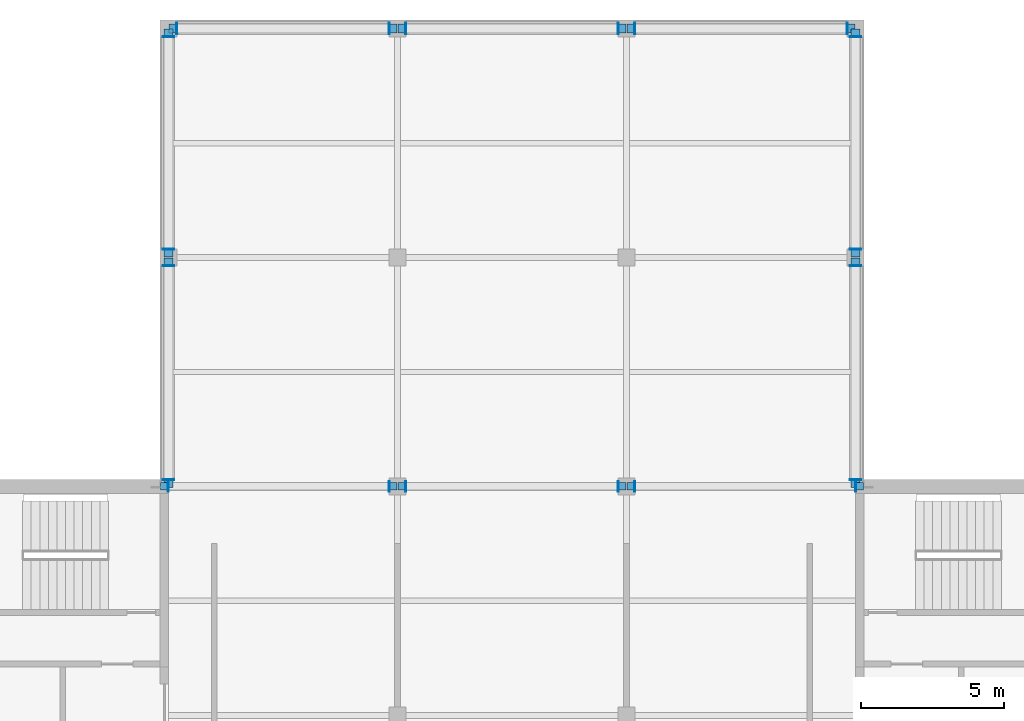
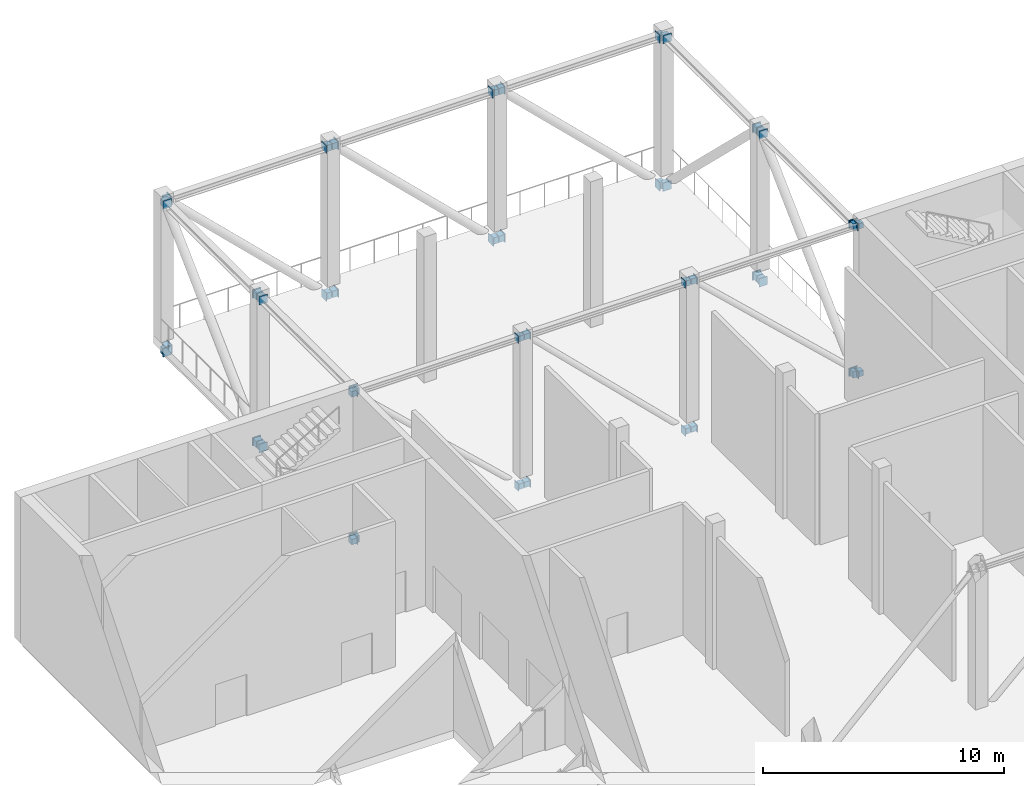
# One storey, part 7 of 9: 80 discrete accessories.
"""IFC4 building model written with IfcOpenShell, lengths in metres."""

from ifc_helpers import new_model, si_unit, direction, frame, origin, origin_2d, place, context, subcontext, project, spatial, rectangle, extrude, material, layer, layer_set, type_object, element, save


model = new_model("IFC4")

# Units and contexts
model_context = context("Model", 3, precision=1e-05, world=origin(), true_north=direction((0.0, 1.0)))
body_context = subcontext(model_context, "Body", "Model", "MODEL_VIEW")
ifc_project = project(units=[si_unit("LENGTHUNIT", "METRE"), si_unit("AREAUNIT", "SQUARE_METRE"), si_unit("VOLUMEUNIT", "CUBIC_METRE"), si_unit("PLANEANGLEUNIT", "RADIAN"), si_unit("MASSUNIT", "GRAM", prefix="KILO")], contexts=[model_context])

# Site, building, storey
site_placement = place(None, origin())
site = spatial("IfcSite", under=ifc_project, at=site_placement, CompositionType="ELEMENT")
building_placement = place(site_placement, origin())
building = spatial("IfcBuilding", under=site, at=building_placement, Name="Crosswind Convention Tower", CompositionType="ELEMENT")
storey_placement = place(building_placement, frame((0.0, 0.0, 303.89990234375)))
storey = spatial("IfcBuildingStorey", under=building, at=storey_placement, Name="L66", CompositionType="ELEMENT", Elevation=303.89990234375)

# Discrete accessories
ifc_material = material(Name="Steel S355", Category="steel")
ifc_layer_1 = layer(ifc_material, 0.030029296875)
ifc_layer_set_1 = layer_set([ifc_layer_1], Name="Steel S355")
discrete_accessory_type_1 = type_object("IfcDiscreteAccessoryType", Name="Cast-in plate 361 x 376 x 30", PredefinedType="ANCHORPLATE", material=ifc_layer_set_1)
for number, where, z_axis, x_axis, name in (
    (1, (112.985107421875, 112.0, -0.726318359375), (0.0, 0.0, 1.0), (1.0, 0.0, 0.0), "EP4 L66 cast-in plate"),
    (2, (120.715087890625, 112.0, -0.726318359375), (0.0, 0.0, 1.0), (1.0, 0.0, 0.0), "EP4 L66 cast-in plate"),
    (3, (112.985107421875, 112.0, 6.773681640625), (0.0, 0.0, 1.0), (1.0, 0.0, 0.0), "EP4 L66 cast-in plate"),
    (4, (120.715087890625, 112.0, 6.773681640625), (0.0, 0.0, 1.0), (1.0, 0.0, 0.0), "EP4 L66 cast-in plate"),
    (5, (121.284912109375, 112.0, -0.726318359375), (0.0, 0.0, 1.0), (1.0, 0.0, 0.0), "EP4 L66 cast-in plate"),
    (6, (128.715087890625, 112.0, -0.726318359375), (0.0, 0.0, 1.0), (1.0, 0.0, 0.0), "EP4 L66 cast-in plate"),
    (7, (121.284912109375, 112.0, 6.773681640625), (0.0, 0.0, 1.0), (1.0, 0.0, 0.0), "EP4 L66 cast-in plate"),
    (8, (128.715087890625, 112.0, 6.773681640625), (0.0, 0.0, 1.0), (1.0, 0.0, 0.0), "EP4 L66 cast-in plate"),
    (9, (129.284912109375, 112.0, -0.726318359375), (0.0, 0.0, 1.0), (1.0, 0.0, 0.0), "EP4 L66 cast-in plate"),
    (10, (137.014892578125, 112.0, -0.726318359375), (0.0, 0.0, 1.0), (1.0, 0.0, 0.0), "EP4 L66 cast-in plate"),
    (11, (129.284912109375, 112.0, 6.773681640625), (0.0, 0.0, 1.0), (1.0, 0.0, 0.0), "EP4 L66 cast-in plate"),
    (12, (137.014892578125, 112.0, 6.773681640625), (0.0, 0.0, 1.0), (1.0, 0.0, 0.0), "EP4 L66 cast-in plate"),
):
    element("IfcDiscreteAccessory", number, at=place(storey_placement, frame(where, z_axis=z_axis, x_axis=x_axis)), inside=storey, type_object=discrete_accessory_type_1, Name=name, PredefinedType="ANCHORPLATE", context=body_context, shape_type="SweptSolid", body=[
        extrude(rectangle(XDim=0.030029296875, YDim=0.361083984375, at=origin_2d()), origin(), (0.0, 0.0, 1.0), 0.37646484375),
    ])
ifc_layer_2 = layer(ifc_material, 0.030029296875)
ifc_layer_set_2 = layer_set([ifc_layer_2], Name="Steel S355")
discrete_accessory_type_2 = type_object("IfcDiscreteAccessoryType", Name="Cast-in plate 411 x 427 x 30", PredefinedType="ANCHORPLATE", material=ifc_layer_set_2)
for number, where, z_axis, x_axis, name in (
    (13, (113.0, 112.235107421875, -0.777099609375), (0.0, 0.0, 1.0), (1.0, 0.0, 0.0), "EP3 L66 cast-in plate"),
    (14, (113.0, 119.715087890625, -0.777099609375), (0.0, 0.0, 1.0), (1.0, 0.0, 0.0), "EP3 L66 cast-in plate"),
    (15, (113.0, 112.235107421875, 6.722900390625), (0.0, 0.0, 1.0), (1.0, 0.0, 0.0), "EP3 L66 cast-in plate"),
    (16, (113.0, 119.715087890625, 6.722900390625), (0.0, 0.0, 1.0), (1.0, 0.0, 0.0), "EP3 L66 cast-in plate"),
    (17, (113.0, 120.284912109375, -0.777099609375), (0.0, 0.0, 1.0), (1.0, 0.0, 0.0), "EP3 L66 cast-in plate"),
    (18, (113.0, 127.715087890625, -0.777099609375), (0.0, 0.0, 1.0), (1.0, 0.0, 0.0), "EP3 L66 cast-in plate"),
    (19, (113.0, 120.284912109375, 6.722900390625), (0.0, 0.0, 1.0), (1.0, 0.0, 0.0), "EP3 L66 cast-in plate"),
    (20, (113.0, 127.715087890625, 6.722900390625), (0.0, 0.0, 1.0), (1.0, 0.0, 0.0), "EP3 L66 cast-in plate"),
):
    element("IfcDiscreteAccessory", number, at=place(storey_placement, frame(where, z_axis=z_axis, x_axis=x_axis)), inside=storey, type_object=discrete_accessory_type_2, Name=name, PredefinedType="ANCHORPLATE", context=body_context, shape_type="SweptSolid", body=[
        extrude(rectangle(XDim=0.41064453125, YDim=0.030029296875, at=origin_2d()), origin(), (0.0, 0.0, 1.0), 0.42724609375),
    ])
for number, where, z_axis, x_axis, name in (
    (21, (113.284912109375, 128.0, -0.777099609375), (0.0, 0.0, 1.0), (1.0, 0.0, 0.0), "EP3 L66 cast-in plate"),
    (22, (120.715087890625, 128.0, -0.777099609375), (0.0, 0.0, 1.0), (1.0, 0.0, 0.0), "EP3 L66 cast-in plate"),
    (23, (113.284912109375, 128.0, 6.722900390625), (0.0, 0.0, 1.0), (1.0, 0.0, 0.0), "EP3 L66 cast-in plate"),
    (24, (120.715087890625, 128.0, 6.722900390625), (0.0, 0.0, 1.0), (1.0, 0.0, 0.0), "EP3 L66 cast-in plate"),
    (25, (121.284912109375, 128.0, -0.777099609375), (0.0, 0.0, 1.0), (1.0, 0.0, 0.0), "EP3 L66 cast-in plate"),
    (26, (128.715087890625, 128.0, -0.777099609375), (0.0, 0.0, 1.0), (1.0, 0.0, 0.0), "EP3 L66 cast-in plate"),
    (27, (121.284912109375, 128.0, 6.722900390625), (0.0, 0.0, 1.0), (1.0, 0.0, 0.0), "EP3 L66 cast-in plate"),
    (28, (128.715087890625, 128.0, 6.722900390625), (0.0, 0.0, 1.0), (1.0, 0.0, 0.0), "EP3 L66 cast-in plate"),
    (29, (129.284912109375, 128.0, -0.777099609375), (0.0, 0.0, 1.0), (1.0, 0.0, 0.0), "EP3 L66 cast-in plate"),
    (30, (136.715087890625, 128.0, -0.777099609375), (0.0, 0.0, 1.0), (1.0, 0.0, 0.0), "EP3 L66 cast-in plate"),
    (31, (129.284912109375, 128.0, 6.722900390625), (0.0, 0.0, 1.0), (1.0, 0.0, 0.0), "EP3 L66 cast-in plate"),
    (32, (136.715087890625, 128.0, 6.722900390625), (0.0, 0.0, 1.0), (1.0, 0.0, 0.0), "EP3 L66 cast-in plate"),
):
    element("IfcDiscreteAccessory", number, at=place(storey_placement, frame(where, z_axis=z_axis, x_axis=x_axis)), inside=storey, type_object=discrete_accessory_type_2, Name=name, PredefinedType="ANCHORPLATE", context=body_context, shape_type="SweptSolid", body=[
        extrude(rectangle(XDim=0.030029296875, YDim=0.41064453125, at=origin_2d()), origin(), (0.0, 0.0, 1.0), 0.42724609375),
    ])
for number, where, z_axis, x_axis, name in (
    (33, (137.0, 112.235107421875, -0.777099609375), (0.0, 0.0, 1.0), (1.0, 0.0, 0.0), "EP3 L66 cast-in plate"),
    (34, (137.0, 119.715087890625, -0.777099609375), (0.0, 0.0, 1.0), (1.0, 0.0, 0.0), "EP3 L66 cast-in plate"),
    (35, (137.0, 112.235107421875, 6.722900390625), (0.0, 0.0, 1.0), (1.0, 0.0, 0.0), "EP3 L66 cast-in plate"),
    (36, (137.0, 119.715087890625, 6.722900390625), (0.0, 0.0, 1.0), (1.0, 0.0, 0.0), "EP3 L66 cast-in plate"),
    (37, (137.0, 120.284912109375, -0.777099609375), (0.0, 0.0, 1.0), (1.0, 0.0, 0.0), "EP3 L66 cast-in plate"),
    (38, (137.0, 127.715087890625, -0.777099609375), (0.0, 0.0, 1.0), (1.0, 0.0, 0.0), "EP3 L66 cast-in plate"),
    (39, (137.0, 120.284912109375, 6.722900390625), (0.0, 0.0, 1.0), (1.0, 0.0, 0.0), "EP3 L66 cast-in plate"),
    (40, (137.0, 127.715087890625, 6.722900390625), (0.0, 0.0, 1.0), (1.0, 0.0, 0.0), "EP3 L66 cast-in plate"),
):
    element("IfcDiscreteAccessory", number, at=place(storey_placement, frame(where, z_axis=z_axis, x_axis=x_axis)), inside=storey, type_object=discrete_accessory_type_2, Name=name, PredefinedType="ANCHORPLATE", context=body_context, shape_type="SweptSolid", body=[
        extrude(rectangle(XDim=0.41064453125, YDim=0.030029296875, at=origin_2d()), origin(), (0.0, 0.0, 1.0), 0.42724609375),
    ])
discrete_accessory_type_3 = type_object("IfcDiscreteAccessoryType", Name="Headed stud group 261 x 276 x 250", PredefinedType="USERDEFINED", material=ifc_material)
for number, where, z_axis, x_axis, name in (
    (41, (112.844970703125, 112.0, -0.67626953125), (0.0, 0.0, 1.0), (1.0, 0.0, 0.0), "AB4 L66 headed stud group"),
    (42, (120.85498046875, 112.0, -0.67626953125), (0.0, 0.0, 1.0), (1.0, 0.0, 0.0), "AB4 L66 headed stud group"),
    (43, (112.844970703125, 112.0, 6.82373046875), (0.0, 0.0, 1.0), (1.0, 0.0, 0.0), "AB4 L66 headed stud group"),
    (44, (120.85498046875, 112.0, 6.82373046875), (0.0, 0.0, 1.0), (1.0, 0.0, 0.0), "AB4 L66 headed stud group"),
    (45, (121.14501953125, 112.0, -0.67626953125), (0.0, 0.0, 1.0), (1.0, 0.0, 0.0), "AB4 L66 headed stud group"),
    (46, (128.85498046875, 112.0, -0.67626953125), (0.0, 0.0, 1.0), (1.0, 0.0, 0.0), "AB4 L66 headed stud group"),
    (47, (121.14501953125, 112.0, 6.82373046875), (0.0, 0.0, 1.0), (1.0, 0.0, 0.0), "AB4 L66 headed stud group"),
    (48, (128.85498046875, 112.0, 6.82373046875), (0.0, 0.0, 1.0), (1.0, 0.0, 0.0), "AB4 L66 headed stud group"),
    (49, (129.14501953125, 112.0, -0.67626953125), (0.0, 0.0, 1.0), (1.0, 0.0, 0.0), "AB4 L66 headed stud group"),
    (50, (137.155029296875, 112.0, -0.67626953125), (0.0, 0.0, 1.0), (1.0, 0.0, 0.0), "AB4 L66 headed stud group"),
    (51, (129.14501953125, 112.0, 6.82373046875), (0.0, 0.0, 1.0), (1.0, 0.0, 0.0), "AB4 L66 headed stud group"),
    (52, (137.155029296875, 112.0, 6.82373046875), (0.0, 0.0, 1.0), (1.0, 0.0, 0.0), "AB4 L66 headed stud group"),
):
    element("IfcDiscreteAccessory", number, at=place(storey_placement, frame(where, z_axis=z_axis, x_axis=x_axis)), inside=storey, type_object=discrete_accessory_type_3, Name=name, ObjectType="HEADED STUD GROUP", PredefinedType="USERDEFINED", context=body_context, shape_type="SweptSolid", body=[
        extrude(rectangle(XDim=0.25, YDim=0.260986328125, at=origin_2d()), origin(), (0.0, 0.0, 1.0), 0.2763671875),
    ])
discrete_accessory_type_4 = type_object("IfcDiscreteAccessoryType", Name="Headed stud group 311 x 327 x 250", PredefinedType="USERDEFINED", material=ifc_material)
for number, where, z_axis, x_axis, name in (
    (53, (113.0, 112.094970703125, -0.72705078125), (0.0, 0.0, 1.0), (1.0, 0.0, 0.0), "AB3 L66 headed stud group"),
    (54, (113.0, 119.85498046875, -0.72705078125), (0.0, 0.0, 1.0), (1.0, 0.0, 0.0), "AB3 L66 headed stud group"),
    (55, (113.0, 112.094970703125, 6.77294921875), (0.0, 0.0, 1.0), (1.0, 0.0, 0.0), "AB3 L66 headed stud group"),
    (56, (113.0, 119.85498046875, 6.77294921875), (0.0, 0.0, 1.0), (1.0, 0.0, 0.0), "AB3 L66 headed stud group"),
    (57, (113.0, 120.14501953125, -0.72705078125), (0.0, 0.0, 1.0), (1.0, 0.0, 0.0), "AB3 L66 headed stud group"),
    (58, (113.0, 127.85498046875, -0.72705078125), (0.0, 0.0, 1.0), (1.0, 0.0, 0.0), "AB3 L66 headed stud group"),
    (59, (113.0, 120.14501953125, 6.77294921875), (0.0, 0.0, 1.0), (1.0, 0.0, 0.0), "AB3 L66 headed stud group"),
    (60, (113.0, 127.85498046875, 6.77294921875), (0.0, 0.0, 1.0), (1.0, 0.0, 0.0), "AB3 L66 headed stud group"),
):
    element("IfcDiscreteAccessory", number, at=place(storey_placement, frame(where, z_axis=z_axis, x_axis=x_axis)), inside=storey, type_object=discrete_accessory_type_4, Name=name, ObjectType="HEADED STUD GROUP", PredefinedType="USERDEFINED", context=body_context, shape_type="SweptSolid", body=[
        extrude(rectangle(XDim=0.310546875, YDim=0.25, at=origin_2d()), origin(), (0.0, 0.0, 1.0), 0.3271484375),
    ])
for number, where, z_axis, x_axis, name in (
    (61, (113.14501953125, 128.0, -0.72705078125), (0.0, 0.0, 1.0), (1.0, 0.0, 0.0), "AB3 L66 headed stud group"),
    (62, (120.85498046875, 128.0, -0.72705078125), (0.0, 0.0, 1.0), (1.0, 0.0, 0.0), "AB3 L66 headed stud group"),
    (63, (113.14501953125, 128.0, 6.77294921875), (0.0, 0.0, 1.0), (1.0, 0.0, 0.0), "AB3 L66 headed stud group"),
    (64, (120.85498046875, 128.0, 6.77294921875), (0.0, 0.0, 1.0), (1.0, 0.0, 0.0), "AB3 L66 headed stud group"),
    (65, (121.14501953125, 128.0, -0.72705078125), (0.0, 0.0, 1.0), (1.0, 0.0, 0.0), "AB3 L66 headed stud group"),
    (66, (128.85498046875, 128.0, -0.72705078125), (0.0, 0.0, 1.0), (1.0, 0.0, 0.0), "AB3 L66 headed stud group"),
    (67, (121.14501953125, 128.0, 6.77294921875), (0.0, 0.0, 1.0), (1.0, 0.0, 0.0), "AB3 L66 headed stud group"),
    (68, (128.85498046875, 128.0, 6.77294921875), (0.0, 0.0, 1.0), (1.0, 0.0, 0.0), "AB3 L66 headed stud group"),
    (69, (129.14501953125, 128.0, -0.72705078125), (0.0, 0.0, 1.0), (1.0, 0.0, 0.0), "AB3 L66 headed stud group"),
    (70, (136.85498046875, 128.0, -0.72705078125), (0.0, 0.0, 1.0), (1.0, 0.0, 0.0), "AB3 L66 headed stud group"),
    (71, (129.14501953125, 128.0, 6.77294921875), (0.0, 0.0, 1.0), (1.0, 0.0, 0.0), "AB3 L66 headed stud group"),
    (72, (136.85498046875, 128.0, 6.77294921875), (0.0, 0.0, 1.0), (1.0, 0.0, 0.0), "AB3 L66 headed stud group"),
):
    element("IfcDiscreteAccessory", number, at=place(storey_placement, frame(where, z_axis=z_axis, x_axis=x_axis)), inside=storey, type_object=discrete_accessory_type_4, Name=name, ObjectType="HEADED STUD GROUP", PredefinedType="USERDEFINED", context=body_context, shape_type="SweptSolid", body=[
        extrude(rectangle(XDim=0.25, YDim=0.310546875, at=origin_2d()), origin(), (0.0, 0.0, 1.0), 0.3271484375),
    ])
for number, where, z_axis, x_axis, name in (
    (73, (137.0, 112.094970703125, -0.72705078125), (0.0, 0.0, 1.0), (1.0, 0.0, 0.0), "AB3 L66 headed stud group"),
    (74, (137.0, 119.85498046875, -0.72705078125), (0.0, 0.0, 1.0), (1.0, 0.0, 0.0), "AB3 L66 headed stud group"),
    (75, (137.0, 112.094970703125, 6.77294921875), (0.0, 0.0, 1.0), (1.0, 0.0, 0.0), "AB3 L66 headed stud group"),
    (76, (137.0, 119.85498046875, 6.77294921875), (0.0, 0.0, 1.0), (1.0, 0.0, 0.0), "AB3 L66 headed stud group"),
    (77, (137.0, 120.14501953125, -0.72705078125), (0.0, 0.0, 1.0), (1.0, 0.0, 0.0), "AB3 L66 headed stud group"),
    (78, (137.0, 127.85498046875, -0.72705078125), (0.0, 0.0, 1.0), (1.0, 0.0, 0.0), "AB3 L66 headed stud group"),
    (79, (137.0, 120.14501953125, 6.77294921875), (0.0, 0.0, 1.0), (1.0, 0.0, 0.0), "AB3 L66 headed stud group"),
    (80, (137.0, 127.85498046875, 6.77294921875), (0.0, 0.0, 1.0), (1.0, 0.0, 0.0), "AB3 L66 headed stud group"),
):
    element("IfcDiscreteAccessory", number, at=place(storey_placement, frame(where, z_axis=z_axis, x_axis=x_axis)), inside=storey, type_object=discrete_accessory_type_4, Name=name, ObjectType="HEADED STUD GROUP", PredefinedType="USERDEFINED", context=body_context, shape_type="SweptSolid", body=[
        extrude(rectangle(XDim=0.310546875, YDim=0.25, at=origin_2d()), origin(), (0.0, 0.0, 1.0), 0.3271484375),
    ])

save(model, "model.ifc")
